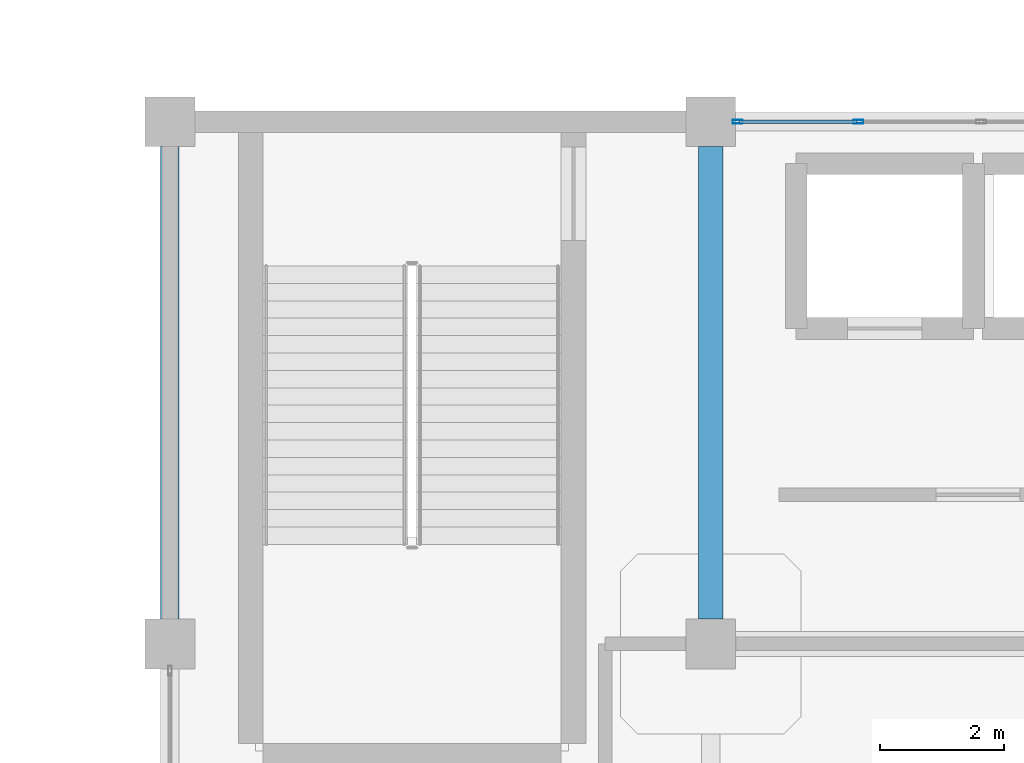
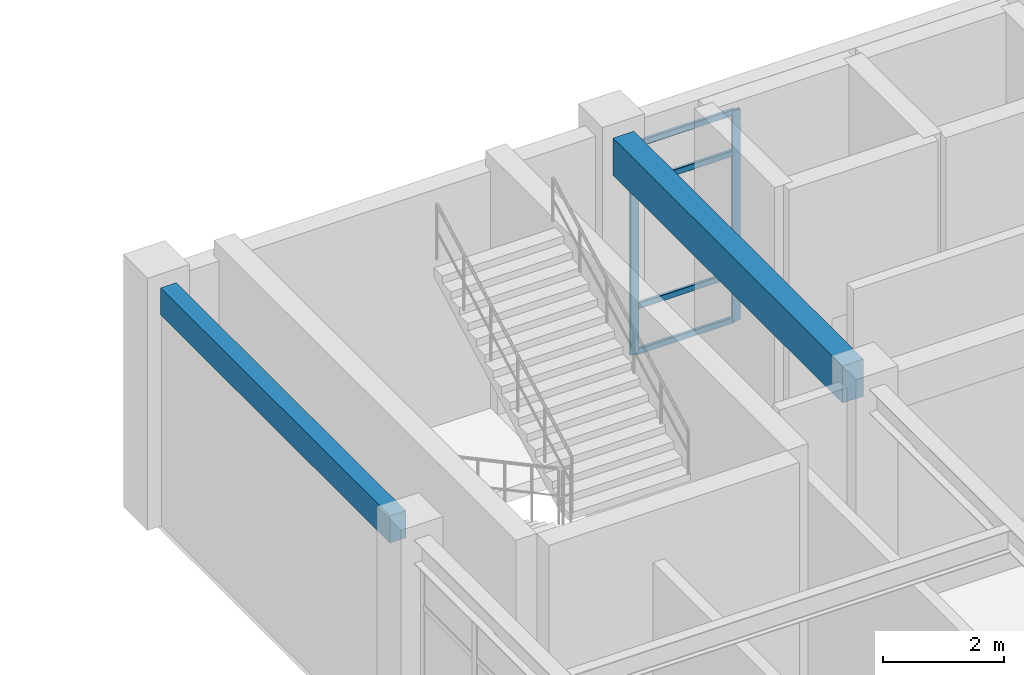
# One storey, part 44 of 96: 6 members, 2 beams, 1 element without a shape of its own.
"""IFC4 building model written with IfcOpenShell, lengths in metres."""

from ifc_helpers import new_model, si_unit, derived_unit, direction, frame, origin, origin_2d, place, context, subcontext, project, spatial, rectangle, hollow_rectangle, extrude, material, layer, layer_set, material_profile, profile_set, type_object, element, aggregate, save


model = new_model("IFC4")

# Units and contexts
model_context = context("Model", 3, precision=1e-05, world=origin(), true_north=direction((0.0, 1.0)))
body_context = subcontext(model_context, "Body", "Model", "MODEL_VIEW")
ifc_project = project(units=[si_unit("LENGTHUNIT", "METRE"), si_unit("AREAUNIT", "SQUARE_METRE"), si_unit("VOLUMEUNIT", "CUBIC_METRE"), si_unit("PLANEANGLEUNIT", "RADIAN"), si_unit("MASSUNIT", "GRAM", prefix="KILO"), derived_unit("THERMALTRANSMITTANCEUNIT", [(si_unit("MASSUNIT", "GRAM", prefix="KILO"), 1), (si_unit("TIMEUNIT", "SECOND"), -3), (si_unit("THERMODYNAMICTEMPERATUREUNIT", "KELVIN"), -1)])], contexts=[model_context])

# Site, building, storey
site_placement = place(None, origin())
site = spatial("IfcSite", under=ifc_project, at=site_placement, CompositionType="ELEMENT")
building_placement = place(site_placement, origin())
building = spatial("IfcBuilding", under=site, at=building_placement, Name="Qinzheling Arcade Emporium", CompositionType="ELEMENT")
storey_placement = place(building_placement, frame((0.0, 0.0, 21.60009765625)))
storey = spatial("IfcBuildingStorey", under=building, at=storey_placement, Name="L05", CompositionType="ELEMENT", Elevation=21.60009765625)

# Curtain wall, members
ifc_material_1 = material(Name="Anodised aluminium and solar-control double glazing", Category="aluminium")
ifc_layer = layer(ifc_material_1, 0.159912109375, Name="Anodised aluminium and solar-control double glazing", Category="aluminium")
ifc_layer_set = layer_set([ifc_layer], Name="Anodised aluminium and solar-control double glazing")
curtain_wall_type = type_object("IfcCurtainWallType", Name="Atrium Clerestory Curtain Wall", PredefinedType="NOTDEFINED", material=ifc_layer_set)
curtain_wall_placement = place(storey_placement, origin())
curtain_wall = element("IfcCurtainWall", 1, at=curtain_wall_placement, inside=storey, type_object=curtain_wall_type, Name="Curtain Wall CW-L05-319", PredefinedType="NOTDEFINED")
ifc_material_2 = material(Name="Anodised aluminium 6063-T6", Category="aluminium")
ifc_material_profile_1 = material_profile(ifc_material_2, hollow_rectangle(XDim=0.06005859375, YDim=0.159912109375, WallThickness=0.00390625, InnerFilletRadius=0.00390625, OuterFilletRadius=0.008056640625, at=origin_2d()), Name="RHS 160x60x4", Category="aluminium")
ifc_profile_set_1 = profile_set([ifc_material_profile_1], Name="Anodised aluminium 6063-T6")
member_type_1 = type_object("IfcMemberType", Name="Curtain Wall Mullion RHS160x60", PredefinedType="MULLION", material=ifc_profile_set_1)
member_1_placement = place(storey_placement, frame((43.931884765625, 73.800048828125, 0.0), z_axis=(0.0, 0.0, 1.0), x_axis=(0.0, 1.0, 0.0)))
member_1 = element("IfcMember", 2, at=member_1_placement, type_object=member_type_1, Name="CW03 mullion 1", PredefinedType="MULLION", context=body_context, shape_type="SweptSolid", body=[
    extrude(hollow_rectangle(XDim=0.06005859375, YDim=0.159912109375, WallThickness=0.00390625, InnerFilletRadius=0.00390625, OuterFilletRadius=0.008056640625, at=origin_2d()), origin(), (0.0, 0.0, 1.0), 4.2548828125),
])
member_2_placement = place(storey_placement, frame((45.8759765625, 73.800048828125, 0.0), z_axis=(0.0, 0.0, 1.0), x_axis=(0.0, 1.0, 0.0)))
member_2 = element("IfcMember", 3, at=member_2_placement, type_object=member_type_1, Name="CW03 mullion 2", PredefinedType="MULLION", context=body_context, shape_type="SweptSolid", body=[
    extrude(hollow_rectangle(XDim=0.06005859375, YDim=0.159912109375, WallThickness=0.00390625, InnerFilletRadius=0.00390625, OuterFilletRadius=0.008056640625, at=origin_2d()), origin(), (0.0, 0.0, 1.0), 4.2548828125),
])
ifc_material_profile_2 = material_profile(ifc_material_2, hollow_rectangle(XDim=0.06005859375, YDim=0.1201171875, WallThickness=0.00390625, InnerFilletRadius=0.00390625, OuterFilletRadius=0.008056640625, at=origin_2d()), Name="RHS 120x60x4", Category="aluminium")
ifc_profile_set_2 = profile_set([ifc_material_profile_2], Name="Anodised aluminium 6063-T6")
member_type_2 = type_object("IfcMemberType", Name="Curtain Wall Transom RHS120x60", PredefinedType="USERDEFINED", material=ifc_profile_set_2)
member_3_placement = place(storey_placement, frame((43.9619140625, 73.800048828125, 0.02978515625), z_axis=(1.0, 0.0, 0.0), x_axis=(0.0, 1.0, 0.0)))
member_3 = element("IfcMember", 4, at=member_3_placement, type_object=member_type_2, Name="CW03 transom 1.1", ObjectType="TRANSOM", PredefinedType="USERDEFINED", context=body_context, shape_type="SweptSolid", body=[
    extrude(hollow_rectangle(XDim=0.06005859375, YDim=0.1201171875, WallThickness=0.00390625, InnerFilletRadius=0.00390625, OuterFilletRadius=0.008056640625, at=origin_2d()), origin(), (0.0, 0.0, 1.0), 1.884033203125),
])
member_4_placement = place(storey_placement, frame((43.9619140625, 73.800048828125, 0.949951171875), z_axis=(1.0, 0.0, 0.0), x_axis=(0.0, 1.0, 0.0)))
member_4 = element("IfcMember", 5, at=member_4_placement, type_object=member_type_2, Name="CW03 transom 1.2", ObjectType="TRANSOM", PredefinedType="USERDEFINED", context=body_context, shape_type="SweptSolid", body=[
    extrude(hollow_rectangle(XDim=0.06005859375, YDim=0.1201171875, WallThickness=0.00390625, InnerFilletRadius=0.00390625, OuterFilletRadius=0.008056640625, at=origin_2d()), origin(), (0.0, 0.0, 1.0), 1.884033203125),
])
member_5_placement = place(storey_placement, frame((43.9619140625, 73.800048828125, 3.40478515625), z_axis=(1.0, 0.0, 0.0), x_axis=(0.0, 1.0, 0.0)))
member_5 = element("IfcMember", 6, at=member_5_placement, type_object=member_type_2, Name="CW03 transom 1.3", ObjectType="TRANSOM", PredefinedType="USERDEFINED", context=body_context, shape_type="SweptSolid", body=[
    extrude(hollow_rectangle(XDim=0.06005859375, YDim=0.1201171875, WallThickness=0.00390625, InnerFilletRadius=0.00390625, OuterFilletRadius=0.008056640625, at=origin_2d()), origin(), (0.0, 0.0, 1.0), 1.884033203125),
])
member_6_placement = place(storey_placement, frame((43.9619140625, 73.800048828125, 4.224853515625), z_axis=(1.0, 0.0, 0.0), x_axis=(0.0, 1.0, 0.0)))
member_6 = element("IfcMember", 7, at=member_6_placement, type_object=member_type_2, Name="CW03 transom 1.4", ObjectType="TRANSOM", PredefinedType="USERDEFINED", context=body_context, shape_type="SweptSolid", body=[
    extrude(hollow_rectangle(XDim=0.06005859375, YDim=0.1201171875, WallThickness=0.00390625, InnerFilletRadius=0.00390625, OuterFilletRadius=0.008056640625, at=origin_2d()), origin(), (0.0, 0.0, 1.0), 1.884033203125),
])
aggregate(curtain_wall, [member_1, member_2, member_3, member_4, member_5, member_6])

# Beams
ifc_material_3 = material(Name="Concrete C40", Category="concrete")
ifc_material_profile_3 = material_profile(ifc_material_3, rectangle(XDim=0.39990234375, YDim=0.75, at=origin_2d()), Name="RC 400x750", Category="concrete")
ifc_profile_set_3 = profile_set([ifc_material_profile_3], Name="Concrete C40")
beam_type_1 = type_object("IfcBeamType", Name="RC Interior Tie Beam 400x750 C40", PredefinedType="BEAM", material=ifc_profile_set_3)
beam_1_placement = place(storey_placement, frame((43.5, 65.800048828125, 4.44482421875), z_axis=(0.0, 1.0, 0.0), x_axis=(-1.0, 0.0, 0.0)))
element("IfcBeam", 8, at=beam_1_placement, inside=storey, type_object=beam_type_1, Name="Beam BM-L05-Y-6-H", PredefinedType="BEAM", context=body_context, shape_type="SweptSolid", body=[
    extrude(rectangle(XDim=0.39990234375, YDim=0.75, at=origin_2d()), origin(), (0.0, 0.0, 1.0), 7.599853515625),
])
ifc_material_profile_4 = material_profile(ifc_material_3, rectangle(XDim=0.300048828125, YDim=0.550048828125, at=origin_2d()), Name="RC 300x550", Category="concrete")
ifc_profile_set_4 = profile_set([ifc_material_profile_4], Name="Concrete C40")
beam_type_2 = type_object("IfcBeamType", Name="RC Terrace Spandrel Beam 300x550 C40", PredefinedType="SPANDREL", material=ifc_profile_set_4)
beam_2_placement = place(storey_placement, frame((34.800048828125, 65.800048828125, 4.544921875), z_axis=(0.0, 1.0, 0.0), x_axis=(-1.0, 0.0, 0.0)))
element("IfcBeam", 9, at=beam_2_placement, inside=storey, type_object=beam_type_2, Name="Beam BM-L05-Y-5-H", PredefinedType="SPANDREL", context=body_context, shape_type="SweptSolid", body=[
    extrude(rectangle(XDim=0.300048828125, YDim=0.550048828125, at=origin_2d()), origin(), (0.0, 0.0, 1.0), 7.599853515625),
])

save(model, "model.ifc")
